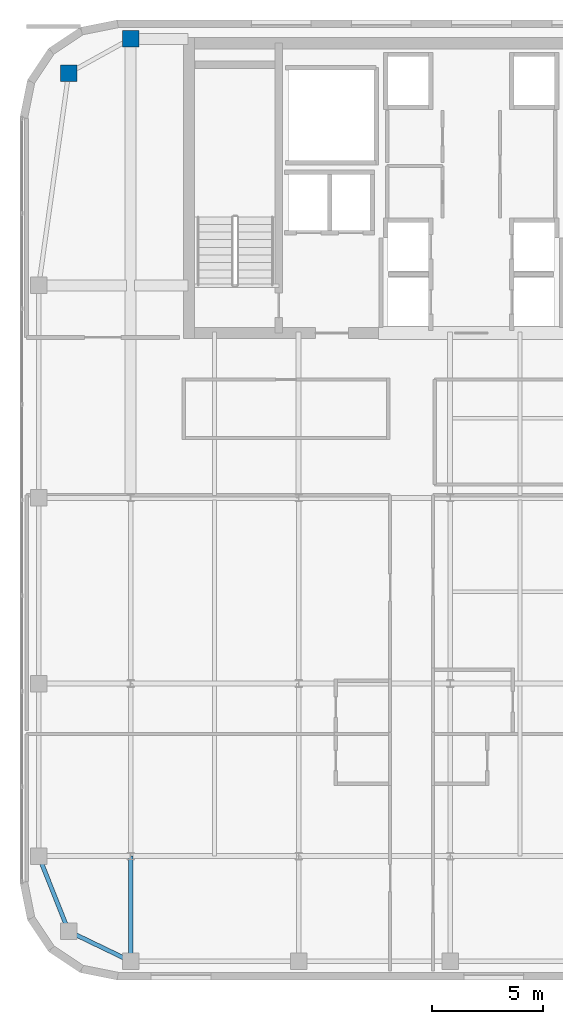
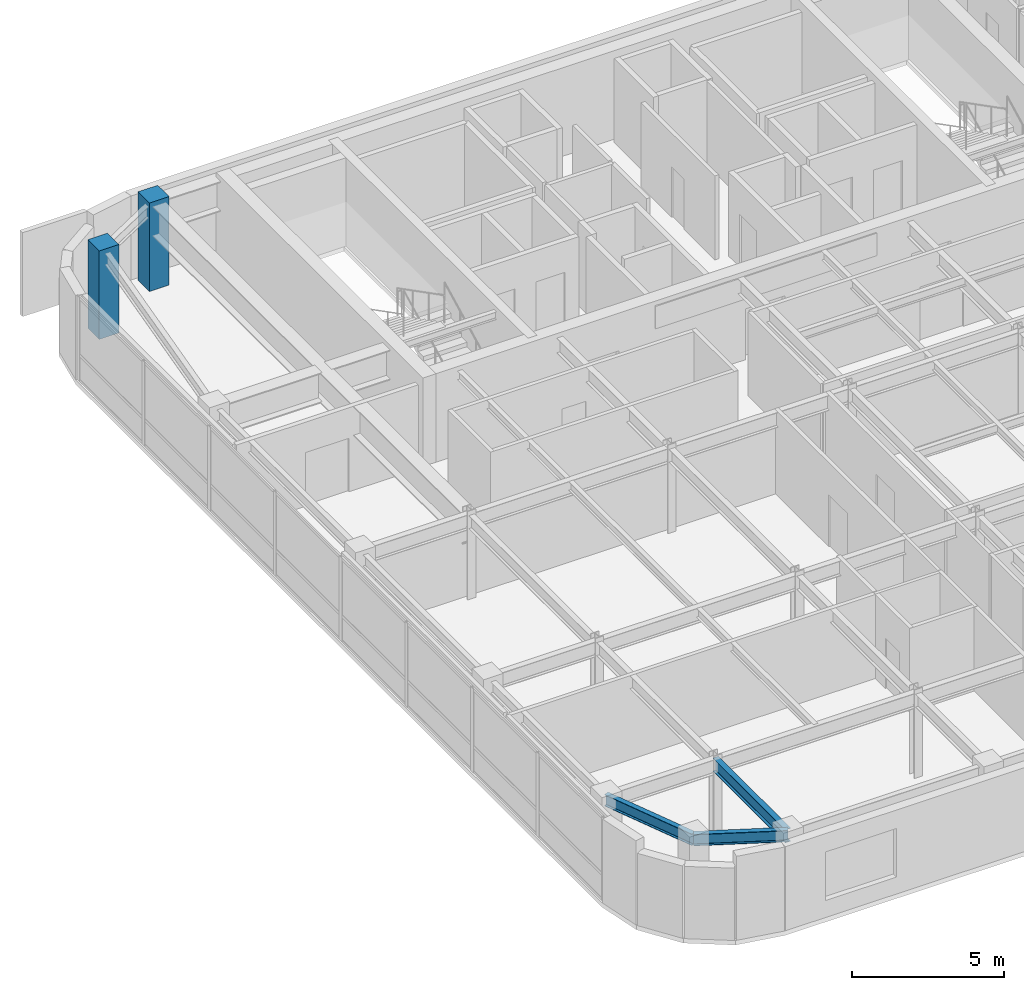
# One storey, part 2 of 19: 3 beams, 2 columns.
"""IFC4 building model written with IfcOpenShell, lengths in metres."""

from ifc_helpers import new_model, si_unit, direction, frame, origin, origin_2d, place, context, subcontext, project, spatial, rectangle, i_section, extrude, source, transform, mapped, material, material_profile, profile_set, type_object, type_shapes, element, save


model = new_model("IFC4")

# Units and contexts
model_context = context("Model", 3, precision=1e-05, world=origin(), true_north=direction((0.0, 1.0)))
body_context = subcontext(model_context, "Body", "Model", "MODEL_VIEW")
ifc_project = project(units=[si_unit("LENGTHUNIT", "METRE"), si_unit("AREAUNIT", "SQUARE_METRE"), si_unit("VOLUMEUNIT", "CUBIC_METRE"), si_unit("PLANEANGLEUNIT", "RADIAN"), si_unit("MASSUNIT", "GRAM", prefix="KILO")], contexts=[model_context])

# Site, building, storey
site_placement = place(None, origin())
site = spatial("IfcSite", under=ifc_project, at=site_placement, CompositionType="ELEMENT")
building_placement = place(site_placement, origin())
building = spatial("IfcBuilding", under=site, at=building_placement, Name="Tolvann Quenvar Hotel", CompositionType="ELEMENT")
storey_placement = place(building_placement, frame((0.0, 0.0, 223.89990234375)))
storey = spatial("IfcBuildingStorey", under=building, at=storey_placement, Name="L59", CompositionType="ELEMENT", Elevation=223.89990234375)

# Columns
ifc_material_1 = material(Name="Concrete N50 (50 MPa)", Category="concrete")
ifc_material_profile_1 = material_profile(ifc_material_1, rectangle(XDim=0.75, YDim=0.75, at=origin_2d()), Name="RC750x750")
ifc_profile_set_1 = profile_set([ifc_material_profile_1], Name="Concrete N50 (50 MPa)")
column_type = type_object("IfcColumnType", Name="COL_RC750", PredefinedType="COLUMN", material=ifc_profile_set_1)
shared_shape_1 = source(origin(), body_context, "Body", "SweptSolid", [
    extrude(rectangle(XDim=0.75, YDim=0.75, at=origin_2d()), origin(), (0.0, 0.0, 1.0), 3.550048828125),
])
type_shapes(column_type, [shared_shape_1])
for number, where, z_axis, x_axis, name in (
    (1, (4.800048828125, 43.60009765625, 0.0), (0.0, 0.0, 1.0), (1.0, 0.0, 0.0), "Column BN (L59)"),
    (2, (7.60009765625, 45.14990234375, 0.0), (0.0, 0.0, 1.0), (1.0, 0.0, 0.0), "Column CN (L59)"),
):
    element("IfcColumn", number, at=place(storey_placement, frame(where, z_axis=z_axis, x_axis=x_axis)), inside=storey, type_object=column_type, Name=name, PredefinedType="COLUMN", context=body_context, shape_type="MappedRepresentation", body=[
        mapped(shared_shape_1, transform((0.0, 0.0, 0.0), x_axis=(1.0, 0.0, 0.0), y_axis=(0.0, 1.0, 0.0), z_axis=(0.0, 0.0, 1.0), scale=1.0)),
    ])

# Beams
ifc_material_2 = material(Name="Steel Grade 350", Category="steel")
ifc_material_profile_2 = material_profile(ifc_material_2, i_section(OverallWidth=0.208984375, OverallDepth=0.532958984375, WebThickness=0.01025390625, FlangeThickness=0.015625, FilletRadius=0.013916015625, at=origin_2d()), Name="530UB92")
ifc_profile_set_2 = profile_set([ifc_material_profile_2], Name="Steel Grade 350")
beam_type_1 = type_object("IfcBeamType", Name="BM_GIRD_530UB92", PredefinedType="BEAM", material=ifc_profile_set_2)
shared_shape_2 = source(origin(), body_context, "Body", "SweptSolid", [
    extrude(i_section(OverallWidth=0.208984375, OverallDepth=0.532958984375, WebThickness=0.01025390625, FlangeThickness=0.015625, FilletRadius=0.013916015625, at=origin_2d()), origin(), (0.0, 0.0, 1.0), 4.75),
])
type_shapes(beam_type_1, [shared_shape_2])
beam_1_placement = place(storey_placement, frame((7.60009765625, 3.449951171875, 3.103515625), z_axis=(0.0, 1.0, 0.0), x_axis=(-1.0, 0.0, 0.0)))
element("IfcBeam", 3, at=beam_1_placement, inside=storey, type_object=beam_type_1, Name="BM-L59-NS-C2-C3", PredefinedType="BEAM", context=body_context, shape_type="MappedRepresentation", body=[
    mapped(shared_shape_2, transform((0.0, 0.0, 0.0), x_axis=(1.0, 0.0, 0.0), y_axis=(0.0, 1.0, 0.0), z_axis=(0.0, 0.0, 1.0), scale=1.0)),
])
ifc_material_profile_3 = material_profile(ifc_material_2, i_section(OverallWidth=0.19091796875, OverallDepth=0.4599609375, WebThickness=0.010009765625, FlangeThickness=0.01611328125, FilletRadius=0.011474609375, at=origin_2d()), Name="460UB82")
ifc_profile_set_3 = profile_set([ifc_material_profile_3], Name="Steel Grade 350")
beam_type_2 = type_object("IfcBeamType", Name="BM_SPAND_460UB82", PredefinedType="SPANDREL", material=ifc_profile_set_3)
shared_shape_3 = source(origin(), body_context, "Body", "SweptSolid", [
    extrude(i_section(OverallWidth=0.19091796875, OverallDepth=0.4599609375, WebThickness=0.010009765625, FlangeThickness=0.01611328125, FilletRadius=0.011474609375, at=origin_2d()), origin(), (0.0, 0.0, 1.0), 3.108642578125),
])
beam_2_placement = place(storey_placement, frame((4.800048828125, 4.800048828125, 3.14013671875), z_axis=(0.900759354066, -0.434318530646, 0.0), x_axis=(0.434318530646, 0.900759354066, 0.0)))
element("IfcBeam", 4, at=beam_2_placement, inside=storey, type_object=beam_type_2, Name="BM-L59-EW-2-B2-C2", PredefinedType="SPANDREL", context=body_context, shape_type="MappedRepresentation", body=[
    mapped(shared_shape_3, transform((0.0, 0.0, 0.0), x_axis=(1.0, 0.0, 0.0), y_axis=(0.0, 1.0, 0.0), z_axis=(0.0, 0.0, 1.0), scale=1.0)),
])
shared_shape_4 = source(origin(), body_context, "Body", "SweptSolid", [
    extrude(i_section(OverallWidth=0.19091796875, OverallDepth=0.4599609375, WebThickness=0.010009765625, FlangeThickness=0.01611328125, FilletRadius=0.011474609375, at=origin_2d()), origin(), (0.0, 0.0, 1.0), 3.658203125),
])
type_shapes(beam_type_2, [shared_shape_3, shared_shape_4])
beam_3_placement = place(storey_placement, frame((4.800048828125, 4.800048828125, 3.14013671875), z_axis=(-0.369065163807, 0.929403521009, 0.0), x_axis=(-0.929403521009, -0.369065163807, 0.0)))
element("IfcBeam", 5, at=beam_3_placement, inside=storey, type_object=beam_type_2, Name="BM-L59-NS-B2-B3", PredefinedType="SPANDREL", context=body_context, shape_type="MappedRepresentation", body=[
    mapped(shared_shape_4, transform((0.0, 0.0, 0.0), x_axis=(1.0, 0.0, 0.0), y_axis=(0.0, 1.0, 0.0), z_axis=(0.0, 0.0, 1.0), scale=1.0)),
])

save(model, "model.ifc")
